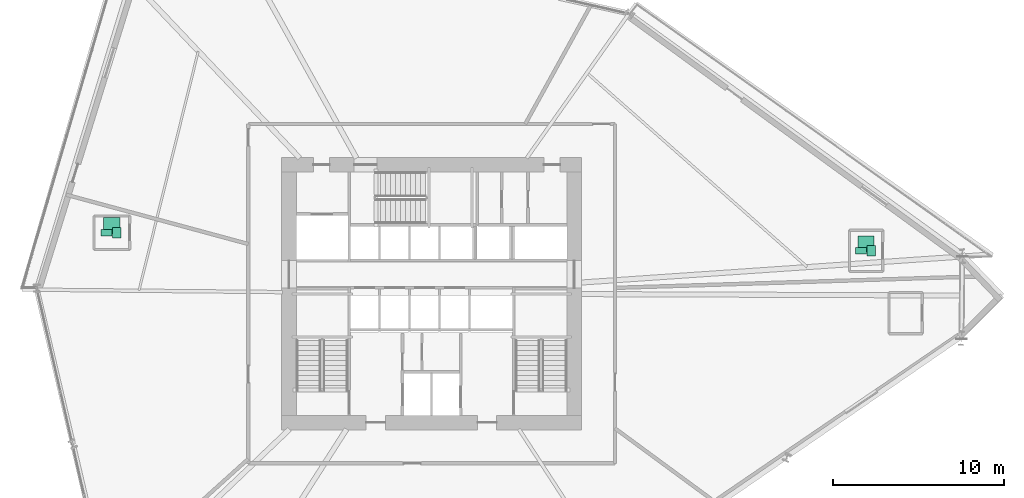
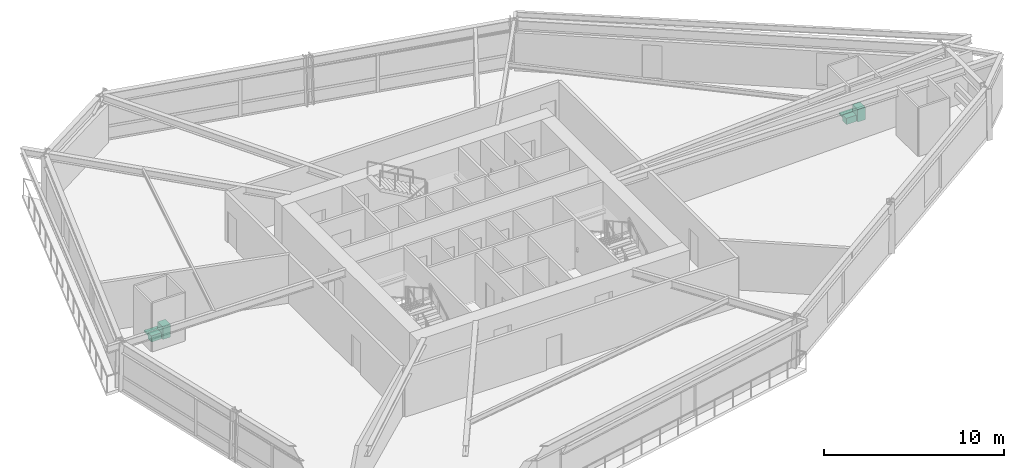
# One storey, part 23 of 23: 6 sanitary terminals.
"""IFC4 building model written with IfcOpenShell, lengths in metres."""

import ifcopenshell
import ifcopenshell.guid

model = None  # the IFC model being written
_history = None  # IfcOwnerHistory: only IFC2X3 demands one
_inside = {}  # id of a spatial element -> (the spatial element, [elements in it])
_under = {}  # id of a project, library or spatial element -> (it, [spatial elements below it])
_declared = {}  # id of a project -> (the project, [libraries it declares])
_typed = {}  # id of a type object -> (the type object, [elements of that type])
_made_of = {}  # id of a material, layer set ... -> (it, [elements and type objects made of it])


def new_model(schema):
    """Start an empty IFC model of exactly this schema.

    Asked for "IFC4X3", IfcOpenShell would pick the latest addendum, in which some entities
    have other attributes; the version numbers below select the first issue.
    IFC2X3 requires an IfcOwnerHistory on every rooted entity: one is made here for all.
    """
    global model, _history
    if schema == "IFC4X3":
        model = ifcopenshell.file(schema_version=(4, 3, 0, 0))
    else:
        model = ifcopenshell.file(schema=schema)
    _inside.clear()
    _under.clear()
    _declared.clear()
    _typed.clear()
    _made_of.clear()
    _history = None
    if model.schema == "IFC2X3":
        org = make("IfcOrganization", Name="unknown")
        user = make(
            "IfcPersonAndOrganization",
            ThePerson=make("IfcPerson", FamilyName="unknown"),
            TheOrganization=org,
        )
        app = make(
            "IfcApplication",
            ApplicationDeveloper=org,
            Version="unknown",
            ApplicationFullName="unknown",
            ApplicationIdentifier="unknown",
        )
        _history = make(
            "IfcOwnerHistory",
            OwningUser=user,
            OwningApplication=app,
            ChangeAction="ADDED",
            CreationDate=0,
        )
    return model


def make(cls, **values):
    """One entity of the class cls with the attributes given. An attribute that is None is left unset."""
    return model.create_entity(
        cls, **{name: value for name, value in values.items() if value is not None}
    )


def rooted(cls, **values):
    """An entity with a GlobalId (a new one), such as an element, a storey or a relation."""
    return make(cls, GlobalId=ifcopenshell.guid.new(), OwnerHistory=_history, **values)


def si_unit(unit_type, name, prefix=None):
    """IfcSIUnit, for example si_unit("LENGTHUNIT", "METRE", prefix="MILLI")."""
    return make("IfcSIUnit", UnitType=unit_type, Prefix=prefix, Name=name)


def assignment(units):
    """IfcUnitAssignment: the units of a project."""
    return None if units is None else make("IfcUnitAssignment", Units=units)


def point(xyz):
    """IfcCartesianPoint."""
    return None if xyz is None else make("IfcCartesianPoint", Coordinates=xyz)


def direction(xyz):
    """IfcDirection."""
    return None if xyz is None else make("IfcDirection", DirectionRatios=xyz)


def frame(location, z_axis=None, x_axis=None):
    """IfcAxis2Placement3D, a coordinate frame: its origin and axes. An axis left out is left unset."""
    return make(
        "IfcAxis2Placement3D",
        Location=point(location),
        Axis=direction(z_axis),
        RefDirection=direction(x_axis),
    )


def frame_2d(location, x_axis=None):
    """IfcAxis2Placement2D, a coordinate frame in the plane: its origin and x axis."""
    return make(
        "IfcAxis2Placement2D", Location=point(location), RefDirection=direction(x_axis)
    )


def origin():
    """The frame at (0, 0, 0) with its axes left unset."""
    return frame((0.0, 0.0, 0.0))


def origin_2d():
    """The frame at (0, 0) in the plane with its x axis left unset."""
    return frame_2d((0.0, 0.0))


def place(relative_to, where):
    """IfcLocalPlacement: puts the frame where relative to a parent placement (None: the world)."""
    return make(
        "IfcLocalPlacement", PlacementRelTo=relative_to, RelativePlacement=where
    )


def context(
    kind, dimensions, precision=None, world=None, true_north=None, identifier=None
):
    """IfcGeometricRepresentationContext, for example the 3D "Model" context."""
    return make(
        "IfcGeometricRepresentationContext",
        ContextIdentifier=identifier,
        ContextType=kind,
        CoordinateSpaceDimension=dimensions,
        Precision=precision,
        WorldCoordinateSystem=world,
        TrueNorth=true_north,
    )


def subcontext(parent, identifier, kind, view, scale=None):
    """IfcGeometricRepresentationSubContext, for example "Body" below "Model"."""
    return make(
        "IfcGeometricRepresentationSubContext",
        ContextIdentifier=identifier,
        ContextType=kind,
        ParentContext=parent,
        TargetScale=scale,
        TargetView=view,
    )


def project(units=None, contexts=None):
    """IfcProject with its units and contexts."""
    return rooted(
        "IfcProject",
        Name="project",
        RepresentationContexts=contexts,
        UnitsInContext=assignment(units),
    )


def spatial(cls, under=None, at=None, **own):
    """A site, building, storey or space (cls), placed at a placement, below another one or the project."""
    s = rooted(cls, ObjectPlacement=at, **own)
    if under is not None:
        _under.setdefault(under.id(), (under, []))[1].append(s)
    return s


def profile(cls, at=None, kind="AREA", **sizes):
    """A parametric profile (cls). Its sizes go by their IFC names, for example OverallWidth=200.0."""
    return make(cls, ProfileType=kind, Position=at, **sizes)


def rectangle(**sizes):
    """IfcRectangleProfileDef."""
    return profile("IfcRectangleProfileDef", **sizes)


def extrude(swept, where, along, depth):
    """IfcExtrudedAreaSolid: the profile swept, set in the frame where, extruded along a direction by depth."""
    return make(
        "IfcExtrudedAreaSolid",
        SweptArea=swept,
        Position=where,
        ExtrudedDirection=direction(along),
        Depth=depth,
    )


def shape(context_of_items, identifier, shape_type, items):
    """IfcShapeRepresentation: the items that make up one representation, for example the "Body"."""
    return make(
        "IfcShapeRepresentation",
        ContextOfItems=context_of_items,
        RepresentationIdentifier=identifier,
        RepresentationType=shape_type,
        Items=items,
    )


def source(mapping_origin, context_of_items, identifier, shape_type, items):
    """IfcRepresentationMap: a shape defined once, which mapped items show again and again."""
    return make(
        "IfcRepresentationMap",
        MappingOrigin=mapping_origin,
        MappedRepresentation=shape(context_of_items, identifier, shape_type, items),
    )


def transform(
    local_origin,
    x_axis=None,
    y_axis=None,
    z_axis=None,
    scale=None,
    scale2=None,
    scale3=None,
    uniform=True,
):
    """IfcCartesianTransformationOperator3D, or its non-uniform kind. x_axis, y_axis, z_axis: its Axis1, 2, 3."""
    if uniform:
        return make(
            "IfcCartesianTransformationOperator3D",
            Axis1=direction(x_axis),
            Axis2=direction(y_axis),
            LocalOrigin=point(local_origin),
            Scale=scale,
            Axis3=direction(z_axis),
        )
    return make(
        "IfcCartesianTransformationOperator3DnonUniform",
        Axis1=direction(x_axis),
        Axis2=direction(y_axis),
        LocalOrigin=point(local_origin),
        Scale=scale,
        Axis3=direction(z_axis),
        Scale2=scale2,
        Scale3=scale3,
    )


def mapped(mapping_source, mapping_target):
    """IfcMappedItem: shows the shape of a source again, moved by a transform."""
    return make(
        "IfcMappedItem", MappingSource=mapping_source, MappingTarget=mapping_target
    )


def material(Name=None, Category=None):
    """IfcMaterial."""
    return make("IfcMaterial", Name=Name, Category=Category)


def made_of(thing, what):
    """Note that an element or type object is made of a material, layer set ...; save() writes the relation."""
    if what is not None:
        _made_of.setdefault(what.id(), (what, []))[1].append(thing)
    return thing


def type_object(cls, material=None, **own):
    """A type object (cls), such as IfcWallType, which elements share."""
    return made_of(rooted(cls, **own), material)


def element(
    cls,
    number,
    at=None,
    inside=None,
    cuts=None,
    type_object=None,
    material=None,
    context=None,
    identifier="Body",
    shape_type=None,
    held_by="IfcProductDefinitionShape",
    body=None,
    shapes=None,
    **own,
):
    """One element of the class cls, such as IfcWall. Its Tag is "e" and its number.

    at: its placement. inside: the storey or other place that contains it. cuts: it is an
    opening in that element (IfcRelVoidsElement). A single representation is given by context,
    identifier, shape_type and body (its items); several are given by shapes. held_by: the class
    of the entity that holds the representations. save() writes the other relations.
    """
    e = rooted(cls, Tag="e%d" % number, ObjectPlacement=at, **own)
    if body is not None:
        shapes = [shape(context, identifier, shape_type, body)]
    if shapes is not None:
        e.Representation = make(held_by, Representations=shapes)
    if inside is not None:
        _inside.setdefault(inside.id(), (inside, []))[1].append(e)
    if cuts is not None:
        rooted(
            "IfcRelVoidsElement", RelatingBuildingElement=cuts, RelatedOpeningElement=e
        )
    if type_object is not None:
        _typed.setdefault(type_object.id(), (type_object, []))[1].append(e)
    return made_of(e, material)


def aggregate(whole, parts):
    """IfcRelAggregates: a whole, such as a stair, and the parts it consists of."""
    return rooted("IfcRelAggregates", RelatingObject=whole, RelatedObjects=parts)


def save(model, path):
    """Write the relations noted so far, then the file.

    IfcRelAggregates (storeys below a building ...), IfcRelContainedInSpatialStructure (elements
    in a storey), IfcRelDefinesByType, IfcRelAssociatesMaterial and IfcRelDeclares: one each for
    every whole, place, type object, material and project.
    """
    for whole, parts in _under.values():
        aggregate(whole, parts)
    for where, things in _inside.values():
        rooted(
            "IfcRelContainedInSpatialStructure",
            RelatedElements=things,
            RelatingStructure=where,
        )
    for kind, things in _typed.values():
        rooted("IfcRelDefinesByType", RelatedObjects=things, RelatingType=kind)
    for what, things in _made_of.values():
        rooted("IfcRelAssociatesMaterial", RelatedObjects=things, RelatingMaterial=what)
    for by, libraries in _declared.values():
        rooted("IfcRelDeclares", RelatingContext=by, RelatedDefinitions=libraries)
    model.write(path)


model = new_model("IFC4")

# Units and contexts
model_context = context("Model", 3, precision=1e-05, world=origin(), true_north=direction((0.0, 1.0)))
body_context = subcontext(model_context, "Body", "Model", "MODEL_VIEW")
ifc_project = project(units=[si_unit("LENGTHUNIT", "METRE"), si_unit("AREAUNIT", "SQUARE_METRE"), si_unit("VOLUMEUNIT", "CUBIC_METRE"), si_unit("PLANEANGLEUNIT", "RADIAN"), si_unit("MASSUNIT", "GRAM", prefix="KILO")], contexts=[model_context])

# Site, building, storey
site_placement = place(None, origin())
site = spatial("IfcSite", under=ifc_project, at=site_placement, CompositionType="ELEMENT")
building_placement = place(site_placement, origin())
building = spatial("IfcBuilding", under=site, at=building_placement, Name="Olszyna Solenne Hotel", CompositionType="ELEMENT")
storey_placement = place(building_placement, frame((0.0, 0.0, 32.85009765625)))
storey = spatial("IfcBuildingStorey", under=building, at=storey_placement, Name="L07", CompositionType="ELEMENT", Elevation=32.85009765625)

# Sanitary terminals
ifc_material = material(Name="Porcelain ceramic")
sanitary_terminal_type_1 = type_object("IfcSanitaryTerminalType", Name="SAN-WC", PredefinedType="TOILETPAN", material=ifc_material)
shared_shape_1 = source(origin(), body_context, "Body", "SweptSolid", [
    extrude(rectangle(XDim=0.64990234375, YDim=0.39990234375, at=origin_2d()), origin(), (0.0, 0.0, 1.0), 0.419921875),
])
for number, where, z_axis, x_axis, name in (
    (1, (63.052978515625, 29.09912109375, 0.0), (0.0, 0.0, 1.0), (1.0, 0.0, 0.0), "Wall-hung WC pan WC-0001"),
    (2, (19.037109375, 30.155029296875, 0.0), (0.0, 0.0, 1.0), (1.0, 0.0, 0.0), "Wall-hung WC pan WC-0002"),
):
    element("IfcSanitaryTerminal", number, at=place(storey_placement, frame(where, z_axis=z_axis, x_axis=x_axis)), inside=storey, type_object=sanitary_terminal_type_1, Name=name, PredefinedType="TOILETPAN", context=body_context, shape_type="MappedRepresentation", body=[
        mapped(shared_shape_1, transform((0.0, 0.0, 0.0), x_axis=(1.0, 0.0, 0.0), y_axis=(0.0, 1.0, 0.0), z_axis=(0.0, 0.0, 1.0), scale=1.0)),
    ])
sanitary_terminal_type_2 = type_object("IfcSanitaryTerminalType", Name="SAN-BS", PredefinedType="WASHHANDBASIN", material=ifc_material)
shared_shape_2 = source(origin(), body_context, "Body", "SweptSolid", [
    extrude(rectangle(XDim=0.5, YDim=0.60009765625, at=origin_2d()), origin(), (0.0, 0.0, 1.0), 0.85009765625),
])
for number, where, z_axis, x_axis, name in (
    (3, (63.653076171875, 29.09912109375, -0.000244140625), (0.0, 0.0, 1.0), (1.0, 0.0, 0.0), "Vanity washbasin BS-0001"),
    (4, (19.636962890625, 30.155029296875, -0.000244140625), (0.0, 0.0, 1.0), (1.0, 0.0, 0.0), "Vanity washbasin BS-0002"),
):
    element("IfcSanitaryTerminal", number, at=place(storey_placement, frame(where, z_axis=z_axis, x_axis=x_axis)), inside=storey, type_object=sanitary_terminal_type_2, Name=name, PredefinedType="WASHHANDBASIN", context=body_context, shape_type="MappedRepresentation", body=[
        mapped(shared_shape_2, transform((0.0, 0.0, 0.0), x_axis=(1.0, 0.0, 0.0), y_axis=(0.0, 1.0, 0.0), z_axis=(0.0, 0.0, 1.0), scale=1.0)),
    ])
sanitary_terminal_type_3 = type_object("IfcSanitaryTerminalType", Name="SAN-SH", PredefinedType="SHOWER", material=ifc_material)
shared_shape_3 = source(origin(), body_context, "Body", "SweptSolid", [
    extrude(rectangle(XDim=0.949951171875, YDim=0.949951171875, at=origin_2d()), origin(), (0.0, 0.0, 1.0), 0.1201171875),
])
for number, where, z_axis, x_axis, name in (
    (5, (63.35302734375, 29.4990234375, -0.000244140625), (0.0, 0.0, 1.0), (1.0, 0.0, 0.0), "Walk-in shower tray SH-0001"),
    (6, (19.3369140625, 30.554931640625, -0.000244140625), (0.0, 0.0, 1.0), (1.0, 0.0, 0.0), "Walk-in shower tray SH-0002"),
):
    element("IfcSanitaryTerminal", number, at=place(storey_placement, frame(where, z_axis=z_axis, x_axis=x_axis)), inside=storey, type_object=sanitary_terminal_type_3, Name=name, PredefinedType="SHOWER", context=body_context, shape_type="MappedRepresentation", body=[
        mapped(shared_shape_3, transform((0.0, 0.0, 0.0), x_axis=(1.0, 0.0, 0.0), y_axis=(0.0, 1.0, 0.0), z_axis=(0.0, 0.0, 1.0), scale=1.0)),
    ])

save(model, "model.ifc")
